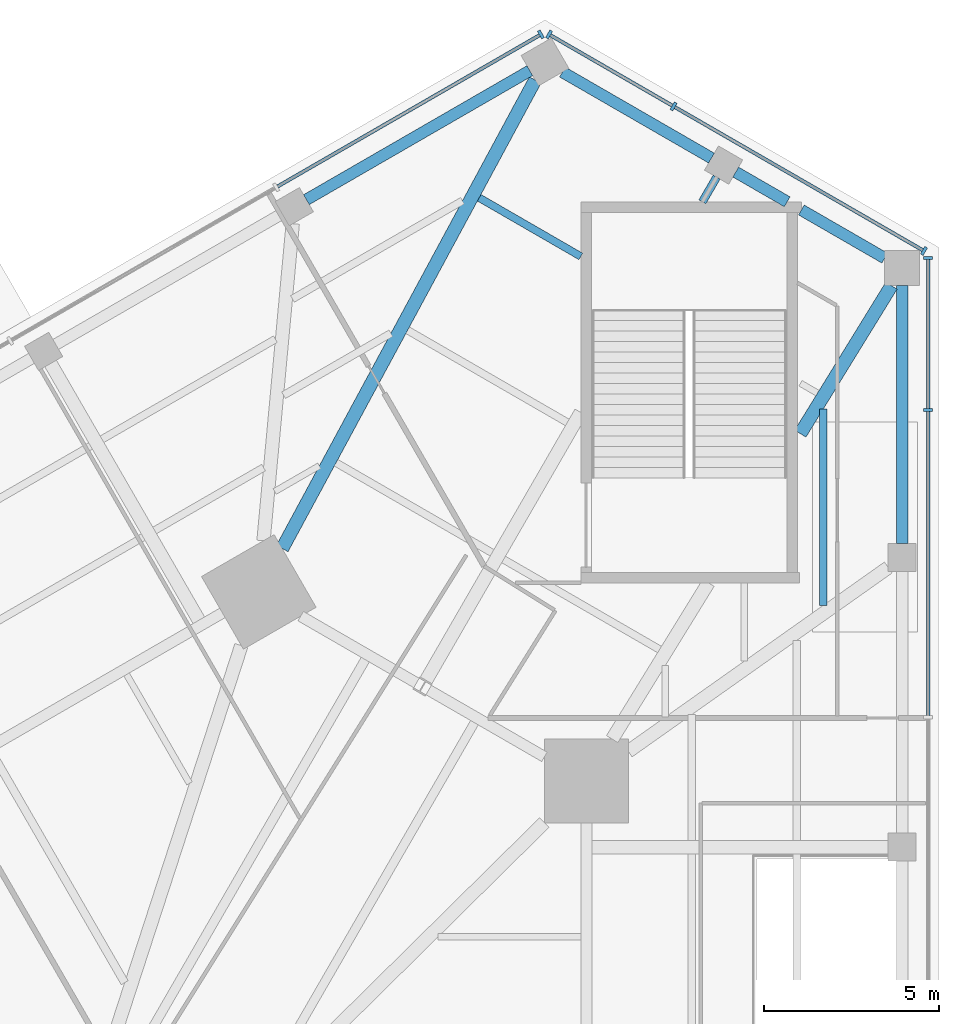
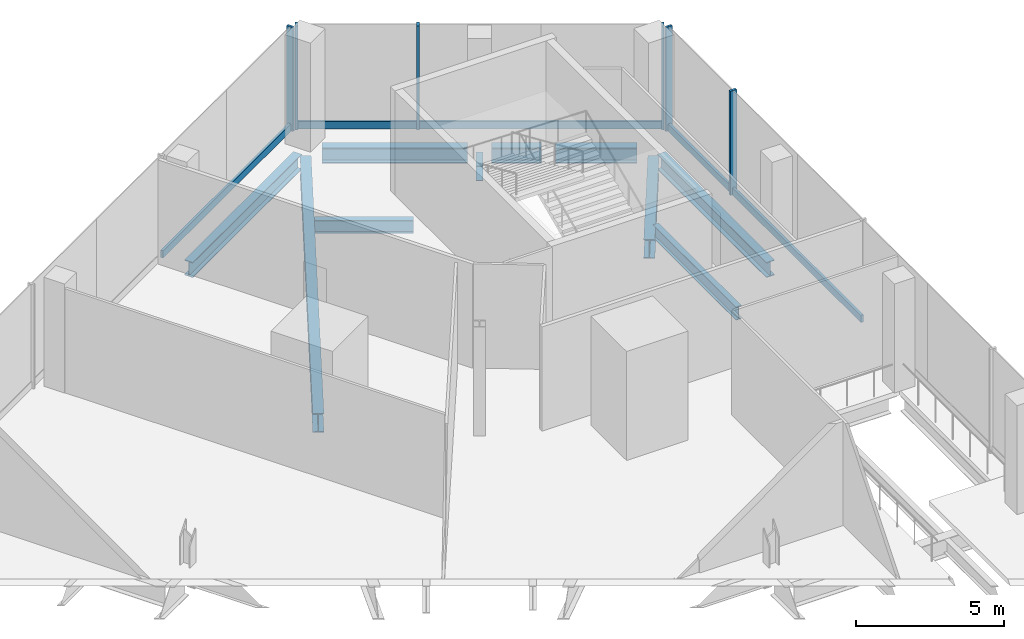
# One storey, part 15 of 27: 11 members, 10 beams, 3 elements without a shape of their own.
"""IFC4 building model written with IfcOpenShell, lengths in metres."""

from ifc_helpers import new_model, si_unit, direction, frame, origin, origin_2d, place, context, subcontext, project, spatial, rectangle, i_section, extrude, source, transform, mapped, material, material_profile, profile_set, type_object, element, aggregate, save


model = new_model("IFC4")

# Units and contexts
model_context = context("Model", 3, precision=1e-05, world=origin(), true_north=direction((0.0, 1.0)))
body_context = subcontext(model_context, "Body", "Model", "MODEL_VIEW")
ifc_project = project(units=[si_unit("LENGTHUNIT", "METRE"), si_unit("AREAUNIT", "SQUARE_METRE"), si_unit("VOLUMEUNIT", "CUBIC_METRE"), si_unit("PLANEANGLEUNIT", "RADIAN"), si_unit("MASSUNIT", "GRAM", prefix="KILO")], contexts=[model_context])

# Site, building, storey
site_placement = place(None, origin())
site = spatial("IfcSite", under=ifc_project, at=site_placement, CompositionType="ELEMENT")
building_placement = place(site_placement, origin())
building = spatial("IfcBuilding", under=site, at=building_placement, Name="Triune Harvest Tower", CompositionType="ELEMENT")
storey_placement = place(building_placement, frame((0.0, 0.0, 7.0)))
storey = spatial("IfcBuildingStorey", under=building, at=storey_placement, Name="L01", CompositionType="ELEMENT", Elevation=7.0)

# Beams
ifc_material_1 = material(Name="Steel ASTM A992 Gr 50", Category="steel")
ifc_material_profile_1 = material_profile(ifc_material_1, i_section(OverallWidth=0.32763671875, OverallDepth=0.62744140625, WebThickness=0.0166015625, FlangeThickness=0.027587890625, at=origin_2d()), Name="W24x146")
ifc_profile_set_1 = profile_set([ifc_material_profile_1], Name="Steel ASTM A992 Gr 50")
beam_type_1 = type_object("IfcBeamType", Name="PD-4 Podium edge beam W24x146", PredefinedType="BEAM", material=ifc_profile_set_1)
shared_shape_1 = source(origin(), body_context, "Body", "SweptSolid", [
    extrude(i_section(OverallWidth=0.32763671875, OverallDepth=0.62744140625, WebThickness=0.0166015625, FlangeThickness=0.027587890625, at=origin_2d()), origin(), (0.0, 0.0, 1.0), 7.3798828125),
])
beam_1_placement = place(storey_placement, frame((30.715087890625, 33.52001953125, -0.513671875), z_axis=(0.0, 1.0, 0.0), x_axis=(-1.0, 0.0, 0.0)))
element("IfcBeam", 1, at=beam_1_placement, inside=storey, type_object=beam_type_1, Name="beam/L01/PE10", PredefinedType="BEAM", context=body_context, shape_type="MappedRepresentation", body=[
    mapped(shared_shape_1, transform((0.0, 0.0, 0.0), scale=1.0)),
])
shared_shape_2 = source(origin(), body_context, "Body", "SweptSolid", [
    extrude(i_section(OverallWidth=0.32763671875, OverallDepth=0.62744140625, WebThickness=0.0166015625, FlangeThickness=0.027587890625, at=origin_2d()), origin(), (0.0, 0.0, 1.0), 2.75390625),
])
beam_2_placement = place(storey_placement, frame((30.215087890625, 41.688720703125, -0.513671875), z_axis=(-0.866030577522, 0.499991038717, 0.0), x_axis=(-0.499991038717, -0.866030577522, 0.0)))
element("IfcBeam", 2, at=beam_2_placement, inside=storey, type_object=beam_type_1, Name="beam/L01/PE11", PredefinedType="BEAM", context=body_context, shape_type="MappedRepresentation", body=[
    mapped(shared_shape_2, transform((0.0, 0.0, 0.0), scale=1.0)),
])
shared_shape_3 = source(origin(), body_context, "Body", "SweptSolid", [
    extrude(i_section(OverallWidth=0.32763671875, OverallDepth=0.62744140625, WebThickness=0.0166015625, FlangeThickness=0.027587890625, at=origin_2d()), origin(), (0.0, 0.0, 1.0), 1.699951171875),
])
beam_3_placement = place(storey_placement, frame((27.42431640625, 43.300048828125, -0.513671875), z_axis=(-0.866087547558, 0.499892348375, 0.0), x_axis=(-0.499892348375, -0.866087547558, 0.0)))
element("IfcBeam", 3, at=beam_3_placement, inside=storey, type_object=beam_type_1, Name="beam/L01/PE12", PredefinedType="BEAM", context=body_context, shape_type="MappedRepresentation", body=[
    mapped(shared_shape_3, transform((0.0, 0.0, 0.0), scale=1.0)),
])
shared_shape_4 = source(origin(), body_context, "Body", "SweptSolid", [
    extrude(i_section(OverallWidth=0.32763671875, OverallDepth=0.62744140625, WebThickness=0.0166015625, FlangeThickness=0.027587890625, at=origin_2d()), origin(), (0.0, 0.0, 1.0), 4.922607421875),
])
beam_4_placement = place(storey_placement, frame((25.259033203125, 44.550048828125, -0.513671875), z_axis=(-0.866040230151, 0.499974319101, 0.0), x_axis=(-0.499974319101, -0.866040230151, 0.0)))
element("IfcBeam", 4, at=beam_4_placement, inside=storey, type_object=beam_type_1, Name="beam/L01/PE13", PredefinedType="BEAM", context=body_context, shape_type="MappedRepresentation", body=[
    mapped(shared_shape_4, transform((0.0, 0.0, 0.0), scale=1.0)),
])
shared_shape_5 = source(origin(), body_context, "Body", "SweptSolid", [
    extrude(i_section(OverallWidth=0.32763671875, OverallDepth=0.62744140625, WebThickness=0.0166015625, FlangeThickness=0.027587890625, at=origin_2d()), origin(), (0.0, 0.0, 1.0), 7.380126953125),
])
beam_5_placement = place(storey_placement, frame((20.06298828125, 47.050048828125, -0.513671875), z_axis=(-0.866031888401, -0.499988768146, 0.0), x_axis=(0.499988768146, -0.866031888401, 0.0)))
element("IfcBeam", 5, at=beam_5_placement, inside=storey, type_object=beam_type_1, Name="beam/L01/PE14", PredefinedType="BEAM", context=body_context, shape_type="MappedRepresentation", body=[
    mapped(shared_shape_5, transform((0.0, 0.0, 0.0), scale=1.0)),
])
ifc_material_2 = material(Name="Steel ASTM A992 Gr 50", Category="steel")
ifc_material_profile_2 = material_profile(ifc_material_2, i_section(OverallWidth=0.381103515625, OverallDepth=0.772216796875, WebThickness=0.0166015625, FlangeThickness=0.027099609375, at=origin_2d()), Name="W30x173")
ifc_profile_set_2 = profile_set([ifc_material_profile_2], Name="Steel ASTM A992 Gr 50")
beam_type_2 = type_object("IfcBeamType", Name="PD-3 Podium girder W30x173", PredefinedType="BEAM", material=ifc_profile_set_2)
shared_shape_6 = source(origin(), body_context, "Body", "SweptSolid", [
    extrude(i_section(OverallWidth=0.381103515625, OverallDepth=0.772216796875, WebThickness=0.0166015625, FlangeThickness=0.027099609375, at=origin_2d()), origin(), (0.0, 0.0, 1.0), 4.97119140625),
])
beam_6_placement = place(storey_placement, frame((30.406982421875, 40.89990234375, -0.586181640625), z_axis=(-0.524420727845, -0.851459276892, 0.0), x_axis=(0.851459276892, -0.524420727845, 0.0)))
element("IfcBeam", 6, at=beam_6_placement, inside=storey, type_object=beam_type_2, Name="beam/L01/PR12", PredefinedType="BEAM", context=body_context, shape_type="MappedRepresentation", body=[
    mapped(shared_shape_6, transform((0.0, 0.0, 0.0), scale=1.0)),
])
ifc_material_3 = material(Name="Steel ASTM A992 Gr 50", Category="steel")
ifc_material_profile_3 = material_profile(ifc_material_3, i_section(OverallWidth=0.22900390625, OverallDepth=0.612060546875, WebThickness=0.011962890625, FlangeThickness=0.01953125, at=origin_2d()), Name="W24x84")
ifc_profile_set_3 = profile_set([ifc_material_profile_3], Name="Steel ASTM A992 Gr 50")
beam_type_3 = type_object("IfcBeamType", Name="PD-7 Podium short girder W24x84", PredefinedType="BEAM", material=ifc_profile_set_3)
shared_shape_7 = source(origin(), body_context, "Body", "SweptSolid", [
    extrude(i_section(OverallWidth=0.22900390625, OverallDepth=0.612060546875, WebThickness=0.011962890625, FlangeThickness=0.01953125, at=origin_2d()), origin(), (0.0, 0.0, 1.0), 0.8125),
])
beam_7_placement = place(storey_placement, frame((25.405517578125, 44.003662109375, -0.506103515625), z_axis=(-0.500017246033, -0.866015446554, 0.0), x_axis=(0.866015446554, -0.500017246033, 0.0)))
element("IfcBeam", 7, at=beam_7_placement, inside=storey, type_object=beam_type_3, Name="beam/L01/PR14", PredefinedType="BEAM", context=body_context, shape_type="MappedRepresentation", body=[
    mapped(shared_shape_7, transform((0.0, 0.0, 0.0), scale=1.0)),
])
shared_shape_8 = source(origin(), body_context, "Body", "SweptSolid", [
    extrude(i_section(OverallWidth=0.381103515625, OverallDepth=0.772216796875, WebThickness=0.0166015625, FlangeThickness=0.027099609375, at=origin_2d()), origin(), (0.0, 0.0, 1.0), 15.232666015625),
])
beam_8_placement = place(storey_placement, frame((20.216796875, 46.783203125, -0.586181640625), z_axis=(-0.475168024555, -0.879895078086, 0.0), x_axis=(0.879895078086, -0.475168024555, 0.0)))
element("IfcBeam", 8, at=beam_8_placement, inside=storey, type_object=beam_type_2, Name="beam/L01/PR16", PredefinedType="BEAM", context=body_context, shape_type="MappedRepresentation", body=[
    mapped(shared_shape_8, transform((0.0, 0.0, 0.0), scale=1.0)),
])
ifc_material_4 = material(Name="Steel ASTM A992 Gr 50", Category="steel")
ifc_material_profile_4 = material_profile(ifc_material_4, i_section(OverallWidth=0.2138671875, OverallDepth=0.548583984375, WebThickness=0.0146484375, FlangeThickness=0.023681640625, at=origin_2d()), Name="W21x93")
ifc_profile_set_4 = profile_set([ifc_material_profile_4], Name="Steel ASTM A992 Gr 50")
beam_type_4 = type_object("IfcBeamType", Name="PD-5 Podium joist W21x93", PredefinedType="JOIST", material=ifc_profile_set_4)
shared_shape_9 = source(origin(), body_context, "Body", "SweptSolid", [
    extrude(i_section(OverallWidth=0.2138671875, OverallDepth=0.548583984375, WebThickness=0.0146484375, FlangeThickness=0.023681640625, at=origin_2d()), origin(), (0.0, 0.0, 1.0), 5.613525390625),
])
beam_9_placement = place(storey_placement, frame((28.456298828125, 31.755859375, -0.474365234375), z_axis=(0.0, 1.0, 0.0), x_axis=(-1.0, 0.0, 0.0)))
element("IfcBeam", 9, at=beam_9_placement, inside=storey, type_object=beam_type_4, Name="beam/L01/PJ20", PredefinedType="JOIST", context=body_context, shape_type="MappedRepresentation", body=[
    mapped(shared_shape_9, transform((0.0, 0.0, 0.0), scale=1.0)),
])
shared_shape_10 = source(origin(), body_context, "Body", "SweptSolid", [
    extrude(i_section(OverallWidth=0.2138671875, OverallDepth=0.548583984375, WebThickness=0.0146484375, FlangeThickness=0.023681640625, at=origin_2d()), origin(), (0.0, 0.0, 1.0), 3.355224609375),
])
beam_10_placement = place(storey_placement, frame((21.52001953125, 41.737060546875, -0.474365234375), z_axis=(-0.866013522419, 0.500020578564, 0.0), x_axis=(-0.500020578564, -0.866013522419, 0.0)))
element("IfcBeam", 10, at=beam_10_placement, inside=storey, type_object=beam_type_4, Name="beam/L01/PJ25", PredefinedType="JOIST", context=body_context, shape_type="MappedRepresentation", body=[
    mapped(shared_shape_10, transform((0.0, 0.0, 0.0), scale=1.0)),
])

# Curtain wall, member
ifc_material_5 = material(Name="Aluminium bronze anodised", Category="aluminium")
curtain_wall_type = type_object("IfcCurtainWallType", Name="CW-2 Podium shopfront wall", PredefinedType="NOTDEFINED", material=ifc_material_5)
curtain_wall_1_placement = place(storey_placement, origin())
curtain_wall_1 = element("IfcCurtainWall", 11, at=curtain_wall_1_placement, inside=storey, type_object=curtain_wall_type, Name="CW-2 PD-F2 L01 run 1")
ifc_material_6 = material(Name="Aluminium bronze anodised", Category="aluminium")
ifc_material_profile_5 = material_profile(ifc_material_6, rectangle(XDim=0.10009765625, YDim=0.300048828125, at=origin_2d()), Name="TR-2 transom 100 x 300")
ifc_profile_set_5 = profile_set([ifc_material_profile_5], Name="Aluminium bronze anodised")
member_type_1 = type_object("IfcMemberType", Name="TR-2 transom 100 x 300", PredefinedType="USERDEFINED", material=ifc_profile_set_5)
shared_shape_11 = source(origin(), body_context, "Body", "SweptSolid", [
    extrude(rectangle(XDim=0.10009765625, YDim=0.300048828125, at=origin_2d()), origin(), (0.0, 0.0, 1.0), 8.1806640625),
])
member_1_placement = place(storey_placement, frame((31.29833984375, 41.916748046875, 0.14990234375), z_axis=(-0.866027050914, 0.499997147077, 0.0), x_axis=(-0.499997147077, -0.866027050914, 0.0)))
member_1 = element("IfcMember", 12, at=member_1_placement, type_object=member_type_1, Name="CW-2 transom PD-F2 1.1", ObjectType="TRANSOM", PredefinedType="USERDEFINED", context=body_context, shape_type="MappedRepresentation", body=[
    mapped(shared_shape_11, transform((0.0, 0.0, 0.0), scale=1.0)),
])

# Curtain wall, members
curtain_wall_2_placement = place(storey_placement, origin())
curtain_wall_2 = element("IfcCurtainWall", 13, at=curtain_wall_2_placement, inside=storey, type_object=curtain_wall_type, Name="CW-2 PD-F1 L01 run 1")
ifc_material_7 = material(Name="Aluminium bronze anodised", Category="aluminium")
ifc_material_profile_6 = material_profile(ifc_material_7, rectangle(XDim=0.25, YDim=0.090087890625, at=origin_2d()), Name="MU-2 mullion 90 x 250")
ifc_profile_set_6 = profile_set([ifc_material_profile_6], Name="Aluminium bronze anodised")
member_type_2 = type_object("IfcMemberType", Name="MU-2 mullion 90 x 250", PredefinedType="MULLION", material=ifc_profile_set_6)
shared_shape_12 = source(origin(), body_context, "Body", "SweptSolid", [
    extrude(rectangle(XDim=0.25, YDim=0.090087890625, at=origin_2d()), origin(), (0.0, 0.0, 1.0), 4.300048828125),
])
member_2_placement = place(storey_placement, frame((31.454345703125, 37.343505859375, 0.0), z_axis=(0.0, 0.0, 1.0), x_axis=(-1.0, 0.0, 0.0)))
member_2 = element("IfcMember", 14, at=member_2_placement, type_object=member_type_2, Name="CW-2 mullion PD-F1 1.19", PredefinedType="MULLION", context=body_context, shape_type="MappedRepresentation", body=[
    mapped(shared_shape_12, transform((0.0, 0.0, 0.0), scale=1.0)),
])
member_3_placement = place(storey_placement, frame((31.454345703125, 41.69189453125, 0.0), z_axis=(0.0, 0.0, 1.0), x_axis=(-1.0, 0.0, 0.0)))
member_3 = element("IfcMember", 15, at=member_3_placement, type_object=member_type_2, Name="CW-2 mullion PD-F1 1.20", PredefinedType="MULLION", context=body_context, shape_type="MappedRepresentation", body=[
    mapped(shared_shape_12, transform((0.0, 0.0, 0.0), scale=1.0)),
])

# Member
member_4_placement = place(storey_placement, frame((31.33740234375, 41.894287109375, 0.0), z_axis=(0.0, 0.0, 1.0), x_axis=(-0.49999791425, -0.866026607989, 0.0)))
member_4 = element("IfcMember", 16, at=member_4_placement, type_object=member_type_2, Name="CW-2 mullion PD-F2 1.1", PredefinedType="MULLION", context=body_context, shape_type="MappedRepresentation", body=[
    mapped(shared_shape_12, transform((0.0, 0.0, 0.0), scale=1.0)),
])

member_5_placement = place(storey_placement, frame((24.174560546875, 46.02978515625, 0.0), z_axis=(0.0, 0.0, 1.0), x_axis=(-0.49999791425, -0.866026607989, 0.0)))
member_5 = element("IfcMember", 17, at=member_5_placement, type_object=member_type_2, Name="CW-2 mullion PD-F2 1.3", PredefinedType="MULLION", context=body_context, shape_type="MappedRepresentation", body=[
    mapped(shared_shape_12, transform((0.0, 0.0, 0.0), scale=1.0)),
])

member_6_placement = place(storey_placement, frame((20.61279296875, 48.086181640625, 0.0), z_axis=(0.0, 0.0, 1.0), x_axis=(-0.49999791425, -0.866026607989, 0.0)))
member_6 = element("IfcMember", 18, at=member_6_placement, type_object=member_type_2, Name="CW-2 mullion PD-F2 1.4", PredefinedType="MULLION", context=body_context, shape_type="MappedRepresentation", body=[
    mapped(shared_shape_12, transform((0.0, 0.0, 0.0), scale=1.0)),
])

# Curtain wall, member
curtain_wall_3_placement = place(storey_placement, origin())
curtain_wall_3 = element("IfcCurtainWall", 19, at=curtain_wall_3_placement, inside=storey, type_object=curtain_wall_type, Name="CW-2 PD-F3 L01 run 1")
member_7_placement = place(storey_placement, frame((20.37890625, 48.086181640625, 0.0), z_axis=(0.0, 0.0, 1.0), x_axis=(0.500000221117, -0.866025276122, 0.0)))
member_7 = element("IfcMember", 20, at=member_7_placement, type_object=member_type_2, Name="CW-2 mullion PD-F3 1.1", PredefinedType="MULLION", context=body_context, shape_type="MappedRepresentation", body=[
    mapped(shared_shape_12, transform((0.0, 0.0, 0.0), scale=1.0)),
])

# Member
shared_shape_13 = source(origin(), body_context, "Body", "SweptSolid", [
    extrude(rectangle(XDim=0.10009765625, YDim=0.300048828125, at=origin_2d()), origin(), (0.0, 0.0, 1.0), 8.696533203125),
])
member_8_placement = place(storey_placement, frame((31.454345703125, 28.601806640625, 0.14990234375), z_axis=(0.0, 1.0, 0.0), x_axis=(-1.0, 0.0, 0.0)))
member_8 = element("IfcMember", 21, at=member_8_placement, type_object=member_type_1, Name="CW-2 transom PD-F1 1.9", ObjectType="TRANSOM", PredefinedType="USERDEFINED", context=body_context, shape_type="MappedRepresentation", body=[
    mapped(shared_shape_13, transform((0.0, 0.0, 0.0), scale=1.0)),
])

shared_shape_14 = source(origin(), body_context, "Body", "SweptSolid", [
    extrude(rectangle(XDim=0.10009765625, YDim=0.300048828125, at=origin_2d()), origin(), (0.0, 0.0, 1.0), 4.25830078125),
])
member_9_placement = place(storey_placement, frame((31.454345703125, 37.388427734375, 0.14990234375), z_axis=(0.0, 1.0, 0.0), x_axis=(-1.0, 0.0, 0.0)))
member_9 = element("IfcMember", 22, at=member_9_placement, type_object=member_type_1, Name="CW-2 transom PD-F1 1.10", ObjectType="TRANSOM", PredefinedType="USERDEFINED", context=body_context, shape_type="MappedRepresentation", body=[
    mapped(shared_shape_14, transform((0.0, 0.0, 0.0), scale=1.0)),
])

aggregate(curtain_wall_2, [member_2, member_3, member_8, member_9])

shared_shape_15 = source(origin(), body_context, "Body", "SweptSolid", [
    extrude(rectangle(XDim=0.10009765625, YDim=0.300048828125, at=origin_2d()), origin(), (0.0, 0.0, 1.0), 4.02294921875),
])
member_10_placement = place(storey_placement, frame((24.1357421875, 46.05224609375, 0.14990234375), z_axis=(-0.866019841608, 0.500009633848, 0.0), x_axis=(-0.500009633848, -0.866019841608, 0.0)))
member_10 = element("IfcMember", 23, at=member_10_placement, type_object=member_type_1, Name="CW-2 transom PD-F2 1.2", ObjectType="TRANSOM", PredefinedType="USERDEFINED", context=body_context, shape_type="MappedRepresentation", body=[
    mapped(shared_shape_15, transform((0.0, 0.0, 0.0), scale=1.0)),
])

aggregate(curtain_wall_1, [member_4, member_5, member_6, member_1, member_10])

shared_shape_16 = source(origin(), body_context, "Body", "SweptSolid", [
    extrude(rectangle(XDim=0.10009765625, YDim=0.300048828125, at=origin_2d()), origin(), (0.0, 0.0, 1.0), 8.65185546875),
])
member_11_placement = place(storey_placement, frame((20.340087890625, 48.063720703125, 0.14990234375), z_axis=(-0.866023934592, -0.500002544707, 0.0), x_axis=(0.500002544707, -0.866023934592, 0.0)))
member_11 = element("IfcMember", 24, at=member_11_placement, type_object=member_type_1, Name="CW-2 transom PD-F3 1.1", ObjectType="TRANSOM", PredefinedType="USERDEFINED", context=body_context, shape_type="MappedRepresentation", body=[
    mapped(shared_shape_16, transform((0.0, 0.0, 0.0), scale=1.0)),
])

aggregate(curtain_wall_3, [member_7, member_11])

save(model, "model.ifc")
